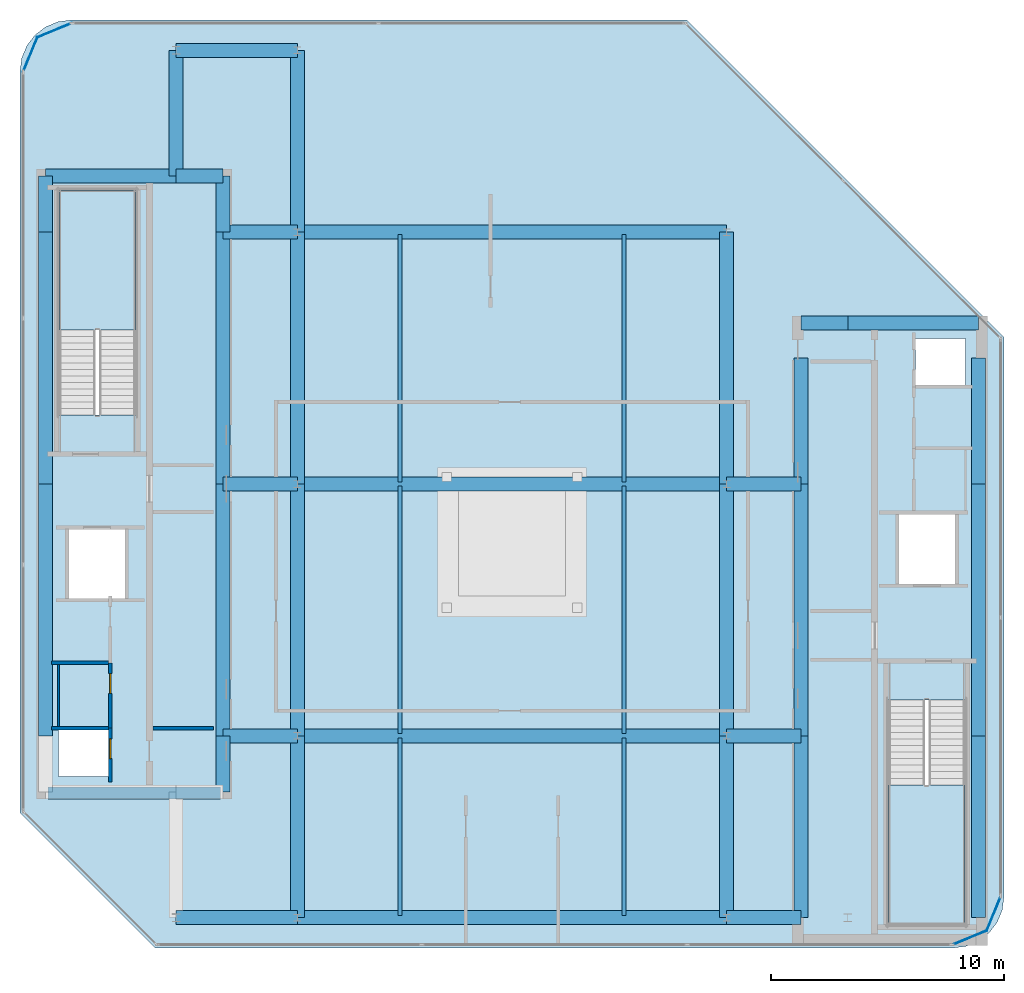
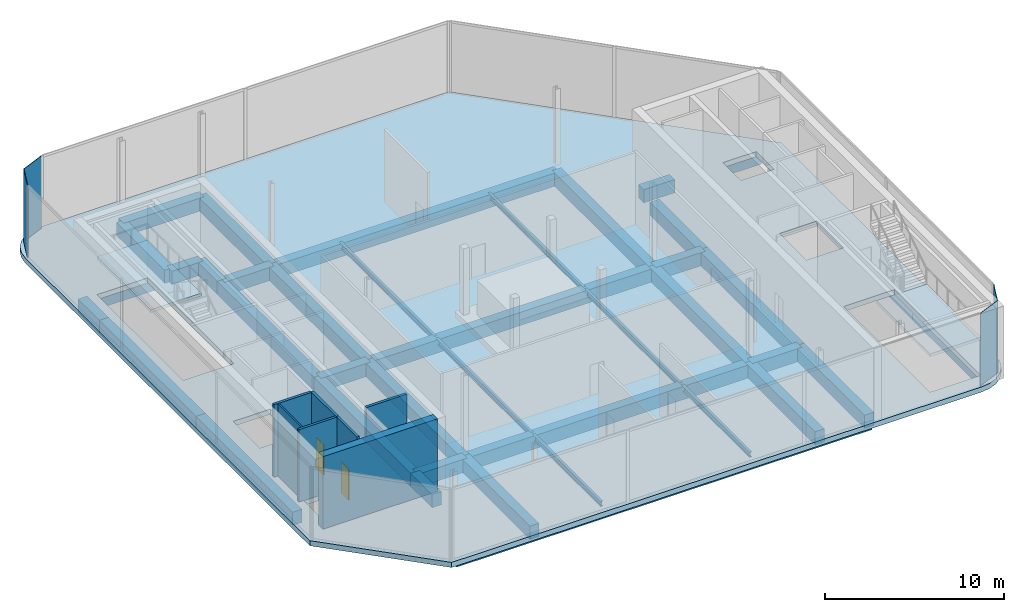
# One storey, part 4 of 14: 43 beams, 7 walls, 4 plates, 3 slabs, 2 doors, 2 openings, 2 elements without a shape of their own.
"""IFC4 building model written with IfcOpenShell, lengths in metres."""

from ifc_helpers import new_model, si_unit, direction, frame, frame_2d, origin, origin_2d, place, context, subcontext, project, spatial, polyline, rectangle, i_section, outline, extrude, material, layer, layer_set, material_profile, profile_set, type_object, element, fill, aggregate, save


model = new_model("IFC4")

# Units and contexts
model_context = context("Model", 3, precision=1e-05, world=origin(), true_north=direction((0.0, 1.0)))
body_context = subcontext(model_context, "Body", "Model", "MODEL_VIEW")
ifc_project = project(units=[si_unit("LENGTHUNIT", "METRE"), si_unit("AREAUNIT", "SQUARE_METRE"), si_unit("VOLUMEUNIT", "CUBIC_METRE"), si_unit("PLANEANGLEUNIT", "RADIAN"), si_unit("MASSUNIT", "GRAM", prefix="KILO")], contexts=[model_context])

# Site, building, storey
site_placement = place(None, origin())
site = spatial("IfcSite", under=ifc_project, at=site_placement, CompositionType="ELEMENT")
building_placement = place(site_placement, origin())
building = spatial("IfcBuilding", under=site, at=building_placement, Name="Khairoan Windgate Tower", CompositionType="ELEMENT")
storey_placement = place(building_placement, frame((0.0, 0.0, 325.199951171875)))
storey = spatial("IfcBuildingStorey", under=building, at=storey_placement, Name="L78", CompositionType="ELEMENT", Elevation=325.199951171875)

# Beams
ifc_material_1 = material(Name="Concrete C50/60", Category="concrete")
ifc_material_profile_1 = material_profile(ifc_material_1, rectangle(XDim=0.60009765625, YDim=0.89990234375, at=origin_2d()))
ifc_profile_set_1 = profile_set([ifc_material_profile_1], Name="Concrete C50/60")
beam_type_1 = type_object("IfcBeamType", Name="Beam B-RC1 RC600x900", PredefinedType="BEAM", material=ifc_profile_set_1)
beam_1_placement = place(storey_placement, frame((-14.39990234375, -18.60009765625, -0.800048828125), z_axis=(1.0, 0.0, 0.0), x_axis=(0.0, 1.0, 0.0)))
element("IfcBeam", 1, at=beam_1_placement, inside=storey, type_object=beam_type_1, Name="L78 E-W Primary Girder 01", PredefinedType="BEAM", context=body_context, shape_type="SweptSolid", body=[
    extrude(rectangle(XDim=0.60009765625, YDim=0.89990234375, at=origin_2d()), origin(), (0.0, 0.0, 1.0), 5.199951171875),
])
beam_2_placement = place(storey_placement, frame((-9.199951171875, -18.60009765625, -0.800048828125), z_axis=(1.0, 0.0, 0.0), x_axis=(0.0, 1.0, 0.0)))
element("IfcBeam", 2, at=beam_2_placement, inside=storey, type_object=beam_type_1, Name="L78 E-W Primary Girder 02", PredefinedType="BEAM", context=body_context, shape_type="SweptSolid", body=[
    extrude(rectangle(XDim=0.60009765625, YDim=0.89990234375, at=origin_2d()), origin(), (0.0, 0.0, 1.0), 18.39990234375),
])
for number, where, z_axis, x_axis, name in (
    (3, (9.199951171875, -18.60009765625, -0.800048828125), (1.0, 0.0, 0.0), (0.0, 1.0, 0.0), "L78 E-W Primary Girder 03"),
    (4, (-12.39990234375, -10.800048828125, -0.800048828125), (1.0, 0.0, 0.0), (0.0, 1.0, 0.0), "L78 E-W Primary Girder 06"),
):
    element("IfcBeam", number, at=place(storey_placement, frame(where, z_axis=z_axis, x_axis=x_axis)), inside=storey, type_object=beam_type_1, Name=name, PredefinedType="BEAM", context=body_context, shape_type="SweptSolid", body=[
        extrude(rectangle(XDim=0.60009765625, YDim=0.89990234375, at=origin_2d()), origin(), (0.0, 0.0, 1.0), 3.199951171875),
    ])
beam_3_placement = place(storey_placement, frame((-9.199951171875, -10.800048828125, -0.800048828125), z_axis=(1.0, 0.0, 0.0), x_axis=(0.0, 1.0, 0.0)))
element("IfcBeam", 5, at=beam_3_placement, inside=storey, type_object=beam_type_1, Name="L78 E-W Primary Girder 07", PredefinedType="BEAM", context=body_context, shape_type="SweptSolid", body=[
    extrude(rectangle(XDim=0.60009765625, YDim=0.89990234375, at=origin_2d()), origin(), (0.0, 0.0, 1.0), 18.39990234375),
])
for number, where, z_axis, x_axis, name in (
    (6, (9.199951171875, -10.800048828125, -0.800048828125), (1.0, 0.0, 0.0), (0.0, 1.0, 0.0), "L78 E-W Primary Girder 08"),
    (7, (-12.39990234375, 0.0, -0.800048828125), (1.0, 0.0, 0.0), (0.0, 1.0, 0.0), "L78 E-W Primary Girder 09"),
):
    element("IfcBeam", number, at=place(storey_placement, frame(where, z_axis=z_axis, x_axis=x_axis)), inside=storey, type_object=beam_type_1, Name=name, PredefinedType="BEAM", context=body_context, shape_type="SweptSolid", body=[
        extrude(rectangle(XDim=0.60009765625, YDim=0.89990234375, at=origin_2d()), origin(), (0.0, 0.0, 1.0), 3.199951171875),
    ])
beam_4_placement = place(storey_placement, frame((-9.199951171875, 0.0, -0.800048828125), z_axis=(1.0, 0.0, 0.0), x_axis=(0.0, 1.0, 0.0)))
element("IfcBeam", 8, at=beam_4_placement, inside=storey, type_object=beam_type_1, Name="L78 E-W Primary Girder 10", PredefinedType="BEAM", context=body_context, shape_type="SweptSolid", body=[
    extrude(rectangle(XDim=0.60009765625, YDim=0.89990234375, at=origin_2d()), origin(), (0.0, 0.0, 1.0), 18.39990234375),
])
beam_5_placement = place(storey_placement, frame((9.199951171875, 0.0, -0.800048828125), z_axis=(1.0, 0.0, 0.0), x_axis=(0.0, 1.0, 0.0)))
element("IfcBeam", 9, at=beam_5_placement, inside=storey, type_object=beam_type_1, Name="L78 E-W Primary Girder 11", PredefinedType="BEAM", context=body_context, shape_type="SweptSolid", body=[
    extrude(rectangle(XDim=0.60009765625, YDim=0.89990234375, at=origin_2d()), origin(), (0.0, 0.0, 1.0), 3.199951171875),
])
beam_6_placement = place(storey_placement, frame((12.39990234375, 6.89990234375, -0.800048828125), z_axis=(1.0, 0.0, 0.0), x_axis=(0.0, 1.0, 0.0)))
element("IfcBeam", 10, at=beam_6_placement, inside=storey, type_object=beam_type_1, Name="L78 E-W Primary Girder 12", PredefinedType="BEAM", context=body_context, shape_type="SweptSolid", body=[
    extrude(rectangle(XDim=0.60009765625, YDim=0.89990234375, at=origin_2d()), origin(), (0.0, 0.0, 1.0), 2.0),
])
beam_7_placement = place(storey_placement, frame((14.39990234375, 6.89990234375, -0.800048828125), z_axis=(1.0, 0.0, 0.0), x_axis=(0.0, 1.0, 0.0)))
element("IfcBeam", 11, at=beam_7_placement, inside=storey, type_object=beam_type_1, Name="L78 E-W Primary Girder 13", PredefinedType="BEAM", context=body_context, shape_type="SweptSolid", body=[
    extrude(rectangle(XDim=0.60009765625, YDim=0.89990234375, at=origin_2d()), origin(), (0.0, 0.0, 1.0), 5.60009765625),
])
beam_8_placement = place(storey_placement, frame((-12.39990234375, 10.800048828125, -0.800048828125), z_axis=(1.0, 0.0, 0.0), x_axis=(0.0, 1.0, 0.0)))
element("IfcBeam", 12, at=beam_8_placement, inside=storey, type_object=beam_type_1, Name="L78 E-W Primary Girder 14", PredefinedType="BEAM", context=body_context, shape_type="SweptSolid", body=[
    extrude(rectangle(XDim=0.60009765625, YDim=0.89990234375, at=origin_2d()), origin(), (0.0, 0.0, 1.0), 3.199951171875),
])
beam_9_placement = place(storey_placement, frame((-9.199951171875, 10.800048828125, -0.800048828125), z_axis=(1.0, 0.0, 0.0), x_axis=(0.0, 1.0, 0.0)))
element("IfcBeam", 13, at=beam_9_placement, inside=storey, type_object=beam_type_1, Name="L78 E-W Primary Girder 15", PredefinedType="BEAM", context=body_context, shape_type="SweptSolid", body=[
    extrude(rectangle(XDim=0.60009765625, YDim=0.89990234375, at=origin_2d()), origin(), (0.0, 0.0, 1.0), 18.39990234375),
])
beam_10_placement = place(storey_placement, frame((-20.0, 13.199951171875, -0.800048828125), z_axis=(1.0, 0.0, 0.0), x_axis=(0.0, 1.0, 0.0)))
element("IfcBeam", 14, at=beam_10_placement, inside=storey, type_object=beam_type_1, Name="L78 E-W Primary Girder 16", PredefinedType="BEAM", context=body_context, shape_type="SweptSolid", body=[
    extrude(rectangle(XDim=0.60009765625, YDim=0.89990234375, at=origin_2d()), origin(), (0.0, 0.0, 1.0), 5.60009765625),
])
beam_11_placement = place(storey_placement, frame((-14.39990234375, 13.199951171875, -0.800048828125), z_axis=(1.0, 0.0, 0.0), x_axis=(0.0, 1.0, 0.0)))
element("IfcBeam", 15, at=beam_11_placement, inside=storey, type_object=beam_type_1, Name="L78 E-W Primary Girder 17", PredefinedType="BEAM", context=body_context, shape_type="SweptSolid", body=[
    extrude(rectangle(XDim=0.60009765625, YDim=0.89990234375, at=origin_2d()), origin(), (0.0, 0.0, 1.0), 2.0),
])
beam_12_placement = place(storey_placement, frame((-14.39990234375, 18.60009765625, -0.800048828125), z_axis=(1.0, 0.0, 0.0), x_axis=(0.0, 1.0, 0.0)))
element("IfcBeam", 16, at=beam_12_placement, inside=storey, type_object=beam_type_1, Name="L78 E-W Primary Girder 18", PredefinedType="BEAM", context=body_context, shape_type="SweptSolid", body=[
    extrude(rectangle(XDim=0.60009765625, YDim=0.89990234375, at=origin_2d()), origin(), (0.0, 0.0, 1.0), 5.199951171875),
])
for number, where, z_axis, x_axis, name in (
    (17, (-20.0, -10.800048828125, -0.800048828125), (0.0, 1.0, 0.0), (-1.0, 0.0, 0.0), "L78 N-S Primary Beam 20"),
    (18, (-20.0, 0.0, -0.800048828125), (0.0, 1.0, 0.0), (-1.0, 0.0, 0.0), "L78 N-S Primary Beam 21"),
):
    element("IfcBeam", number, at=place(storey_placement, frame(where, z_axis=z_axis, x_axis=x_axis)), inside=storey, type_object=beam_type_1, Name=name, PredefinedType="BEAM", context=body_context, shape_type="SweptSolid", body=[
        extrude(rectangle(XDim=0.60009765625, YDim=0.89990234375, at=origin_2d()), origin(), (0.0, 0.0, 1.0), 10.800048828125),
    ])
beam_13_placement = place(storey_placement, frame((-20.0, 10.800048828125, -0.800048828125), z_axis=(0.0, 1.0, 0.0), x_axis=(-1.0, 0.0, 0.0)))
element("IfcBeam", 19, at=beam_13_placement, inside=storey, type_object=beam_type_1, Name="L78 N-S Primary Beam 22", PredefinedType="BEAM", context=body_context, shape_type="SweptSolid", body=[
    extrude(rectangle(XDim=0.60009765625, YDim=0.89990234375, at=origin_2d()), origin(), (0.0, 0.0, 1.0), 2.39990234375),
])
beam_14_placement = place(storey_placement, frame((-14.39990234375, 13.199951171875, -0.800048828125), z_axis=(0.0, 1.0, 0.0), x_axis=(-1.0, 0.0, 0.0)))
element("IfcBeam", 20, at=beam_14_placement, inside=storey, type_object=beam_type_1, Name="L78 N-S Primary Beam 24", PredefinedType="BEAM", context=body_context, shape_type="SweptSolid", body=[
    extrude(rectangle(XDim=0.60009765625, YDim=0.89990234375, at=origin_2d()), origin(), (0.0, 0.0, 1.0), 5.400146484375),
])
beam_15_placement = place(storey_placement, frame((-12.39990234375, -13.199951171875, -0.800048828125), z_axis=(0.0, 1.0, 0.0), x_axis=(-1.0, 0.0, 0.0)))
element("IfcBeam", 21, at=beam_15_placement, inside=storey, type_object=beam_type_1, Name="L78 N-S Primary Beam 25", PredefinedType="BEAM", context=body_context, shape_type="SweptSolid", body=[
    extrude(rectangle(XDim=0.60009765625, YDim=0.89990234375, at=origin_2d()), origin(), (0.0, 0.0, 1.0), 2.39990234375),
])
for number, where, z_axis, x_axis, name in (
    (22, (-12.39990234375, -10.800048828125, -0.800048828125), (0.0, 1.0, 0.0), (-1.0, 0.0, 0.0), "L78 N-S Primary Beam 26"),
    (23, (-12.39990234375, 0.0, -0.800048828125), (0.0, 1.0, 0.0), (-1.0, 0.0, 0.0), "L78 N-S Primary Beam 27"),
):
    element("IfcBeam", number, at=place(storey_placement, frame(where, z_axis=z_axis, x_axis=x_axis)), inside=storey, type_object=beam_type_1, Name=name, PredefinedType="BEAM", context=body_context, shape_type="SweptSolid", body=[
        extrude(rectangle(XDim=0.60009765625, YDim=0.89990234375, at=origin_2d()), origin(), (0.0, 0.0, 1.0), 10.800048828125),
    ])
beam_16_placement = place(storey_placement, frame((-12.39990234375, 10.800048828125, -0.800048828125), z_axis=(0.0, 1.0, 0.0), x_axis=(-1.0, 0.0, 0.0)))
element("IfcBeam", 24, at=beam_16_placement, inside=storey, type_object=beam_type_1, Name="L78 N-S Primary Beam 28", PredefinedType="BEAM", context=body_context, shape_type="SweptSolid", body=[
    extrude(rectangle(XDim=0.60009765625, YDim=0.89990234375, at=origin_2d()), origin(), (0.0, 0.0, 1.0), 2.39990234375),
])
beam_17_placement = place(storey_placement, frame((-9.199951171875, -18.60009765625, -0.800048828125), z_axis=(0.0, 1.0, 0.0), x_axis=(-1.0, 0.0, 0.0)))
element("IfcBeam", 25, at=beam_17_placement, inside=storey, type_object=beam_type_1, Name="L78 N-S Primary Beam 29", PredefinedType="BEAM", context=body_context, shape_type="SweptSolid", body=[
    extrude(rectangle(XDim=0.60009765625, YDim=0.89990234375, at=origin_2d()), origin(), (0.0, 0.0, 1.0), 7.800048828125),
])
for number, where, z_axis, x_axis, name in (
    (26, (-9.199951171875, -10.800048828125, -0.800048828125), (0.0, 1.0, 0.0), (-1.0, 0.0, 0.0), "L78 N-S Primary Beam 30"),
    (27, (-9.199951171875, 0.0, -0.800048828125), (0.0, 1.0, 0.0), (-1.0, 0.0, 0.0), "L78 N-S Primary Beam 31"),
):
    element("IfcBeam", number, at=place(storey_placement, frame(where, z_axis=z_axis, x_axis=x_axis)), inside=storey, type_object=beam_type_1, Name=name, PredefinedType="BEAM", context=body_context, shape_type="SweptSolid", body=[
        extrude(rectangle(XDim=0.60009765625, YDim=0.89990234375, at=origin_2d()), origin(), (0.0, 0.0, 1.0), 10.800048828125),
    ])
for number, where, z_axis, x_axis, name in (
    (28, (-9.199951171875, 10.800048828125, -0.800048828125), (0.0, 1.0, 0.0), (-1.0, 0.0, 0.0), "L78 N-S Primary Beam 32"),
    (29, (9.199951171875, -18.60009765625, -0.800048828125), (0.0, 1.0, 0.0), (-1.0, 0.0, 0.0), "L78 N-S Primary Beam 33"),
):
    element("IfcBeam", number, at=place(storey_placement, frame(where, z_axis=z_axis, x_axis=x_axis)), inside=storey, type_object=beam_type_1, Name=name, PredefinedType="BEAM", context=body_context, shape_type="SweptSolid", body=[
        extrude(rectangle(XDim=0.60009765625, YDim=0.89990234375, at=origin_2d()), origin(), (0.0, 0.0, 1.0), 7.800048828125),
    ])
for number, where, z_axis, x_axis, name in (
    (30, (9.199951171875, -10.800048828125, -0.800048828125), (0.0, 1.0, 0.0), (-1.0, 0.0, 0.0), "L78 N-S Primary Beam 34"),
    (31, (9.199951171875, 0.0, -0.800048828125), (0.0, 1.0, 0.0), (-1.0, 0.0, 0.0), "L78 N-S Primary Beam 35"),
):
    element("IfcBeam", number, at=place(storey_placement, frame(where, z_axis=z_axis, x_axis=x_axis)), inside=storey, type_object=beam_type_1, Name=name, PredefinedType="BEAM", context=body_context, shape_type="SweptSolid", body=[
        extrude(rectangle(XDim=0.60009765625, YDim=0.89990234375, at=origin_2d()), origin(), (0.0, 0.0, 1.0), 10.800048828125),
    ])
beam_18_placement = place(storey_placement, frame((12.39990234375, -18.60009765625, -0.800048828125), z_axis=(0.0, 1.0, 0.0), x_axis=(-1.0, 0.0, 0.0)))
element("IfcBeam", 32, at=beam_18_placement, inside=storey, type_object=beam_type_1, Name="L78 N-S Primary Beam 36", PredefinedType="BEAM", context=body_context, shape_type="SweptSolid", body=[
    extrude(rectangle(XDim=0.60009765625, YDim=0.89990234375, at=origin_2d()), origin(), (0.0, 0.0, 1.0), 7.800048828125),
])
beam_19_placement = place(storey_placement, frame((12.39990234375, -10.800048828125, -0.800048828125), z_axis=(0.0, 1.0, 0.0), x_axis=(-1.0, 0.0, 0.0)))
element("IfcBeam", 33, at=beam_19_placement, inside=storey, type_object=beam_type_1, Name="L78 N-S Primary Beam 37", PredefinedType="BEAM", context=body_context, shape_type="SweptSolid", body=[
    extrude(rectangle(XDim=0.60009765625, YDim=0.89990234375, at=origin_2d()), origin(), (0.0, 0.0, 1.0), 10.800048828125),
])
beam_20_placement = place(storey_placement, frame((12.39990234375, 0.0, -0.800048828125), z_axis=(0.0, 1.0, 0.0), x_axis=(-1.0, 0.0, 0.0)))
element("IfcBeam", 34, at=beam_20_placement, inside=storey, type_object=beam_type_1, Name="L78 N-S Primary Beam 38", PredefinedType="BEAM", context=body_context, shape_type="SweptSolid", body=[
    extrude(rectangle(XDim=0.60009765625, YDim=0.89990234375, at=origin_2d()), origin(), (0.0, 0.0, 1.0), 5.39990234375),
])
beam_21_placement = place(storey_placement, frame((20.0, -18.60009765625, -0.800048828125), z_axis=(0.0, 1.0, 0.0), x_axis=(-1.0, 0.0, 0.0)))
element("IfcBeam", 35, at=beam_21_placement, inside=storey, type_object=beam_type_1, Name="L78 N-S Primary Beam 39", PredefinedType="BEAM", context=body_context, shape_type="SweptSolid", body=[
    extrude(rectangle(XDim=0.60009765625, YDim=0.89990234375, at=origin_2d()), origin(), (0.0, 0.0, 1.0), 7.800048828125),
])
beam_22_placement = place(storey_placement, frame((20.0, -10.800048828125, -0.800048828125), z_axis=(0.0, 1.0, 0.0), x_axis=(-1.0, 0.0, 0.0)))
element("IfcBeam", 36, at=beam_22_placement, inside=storey, type_object=beam_type_1, Name="L78 N-S Primary Beam 40", PredefinedType="BEAM", context=body_context, shape_type="SweptSolid", body=[
    extrude(rectangle(XDim=0.60009765625, YDim=0.89990234375, at=origin_2d()), origin(), (0.0, 0.0, 1.0), 10.800048828125),
])
beam_23_placement = place(storey_placement, frame((20.0, 0.0, -0.800048828125), z_axis=(0.0, 1.0, 0.0), x_axis=(-1.0, 0.0, 0.0)))
element("IfcBeam", 37, at=beam_23_placement, inside=storey, type_object=beam_type_1, Name="L78 N-S Primary Beam 41", PredefinedType="BEAM", context=body_context, shape_type="SweptSolid", body=[
    extrude(rectangle(XDim=0.60009765625, YDim=0.89990234375, at=origin_2d()), origin(), (0.0, 0.0, 1.0), 5.39990234375),
])
ifc_material_2 = material(Name="Steel S355", Category="steel")
ifc_material_profile_2 = material_profile(ifc_material_2, i_section(OverallWidth=0.175048828125, OverallDepth=0.35009765625, WebThickness=0.007080078125, FlangeThickness=0.010986328125, FilletRadius=0.013916015625, at=origin_2d()))
ifc_profile_set_2 = profile_set([ifc_material_profile_2], Name="Steel S355")
beam_type_2 = type_object("IfcBeamType", Name="Beam J-S5 H350x175x7x11", PredefinedType="JOIST", material=ifc_profile_set_2)
beam_24_placement = place(storey_placement, frame((-4.800048828125, -18.510009765625, -0.52490234375), z_axis=(0.0, 1.0, 0.0), x_axis=(-1.0, 0.0, 0.0)))
element("IfcBeam", 38, at=beam_24_placement, inside=storey, type_object=beam_type_2, Name="L78 Secondary Floor Joist 01", PredefinedType="JOIST", context=body_context, shape_type="SweptSolid", body=[
    extrude(i_section(OverallWidth=0.175048828125, OverallDepth=0.35009765625, WebThickness=0.007080078125, FlangeThickness=0.010986328125, FilletRadius=0.013916015625, at=origin_2d()), origin(), (0.0, 0.0, 1.0), 7.6201171875),
])
for number, where, z_axis, x_axis, name in (
    (39, (-4.800048828125, -10.7099609375, -0.52490234375), (0.0, 1.0, 0.0), (-1.0, 0.0, 0.0), "L78 Secondary Floor Joist 02"),
    (40, (-4.800048828125, 0.090087890625, -0.52490234375), (0.0, 1.0, 0.0), (-1.0, 0.0, 0.0), "L78 Secondary Floor Joist 03"),
):
    element("IfcBeam", number, at=place(storey_placement, frame(where, z_axis=z_axis, x_axis=x_axis)), inside=storey, type_object=beam_type_2, Name=name, PredefinedType="JOIST", context=body_context, shape_type="SweptSolid", body=[
        extrude(i_section(OverallWidth=0.175048828125, OverallDepth=0.35009765625, WebThickness=0.007080078125, FlangeThickness=0.010986328125, FilletRadius=0.013916015625, at=origin_2d()), origin(), (0.0, 0.0, 1.0), 10.619873046875),
    ])
beam_25_placement = place(storey_placement, frame((4.800048828125, -18.510009765625, -0.52490234375), z_axis=(0.0, 1.0, 0.0), x_axis=(-1.0, 0.0, 0.0)))
element("IfcBeam", 41, at=beam_25_placement, inside=storey, type_object=beam_type_2, Name="L78 Secondary Floor Joist 04", PredefinedType="JOIST", context=body_context, shape_type="SweptSolid", body=[
    extrude(i_section(OverallWidth=0.175048828125, OverallDepth=0.35009765625, WebThickness=0.007080078125, FlangeThickness=0.010986328125, FilletRadius=0.013916015625, at=origin_2d()), origin(), (0.0, 0.0, 1.0), 7.6201171875),
])
for number, where, z_axis, x_axis, name in (
    (42, (4.800048828125, -10.7099609375, -0.52490234375), (0.0, 1.0, 0.0), (-1.0, 0.0, 0.0), "L78 Secondary Floor Joist 05"),
    (43, (4.800048828125, 0.090087890625, -0.52490234375), (0.0, 1.0, 0.0), (-1.0, 0.0, 0.0), "L78 Secondary Floor Joist 06"),
):
    element("IfcBeam", number, at=place(storey_placement, frame(where, z_axis=z_axis, x_axis=x_axis)), inside=storey, type_object=beam_type_2, Name=name, PredefinedType="JOIST", context=body_context, shape_type="SweptSolid", body=[
        extrude(i_section(OverallWidth=0.175048828125, OverallDepth=0.35009765625, WebThickness=0.007080078125, FlangeThickness=0.010986328125, FilletRadius=0.013916015625, at=origin_2d()), origin(), (0.0, 0.0, 1.0), 10.619873046875),
    ])

# Plates
ifc_material_3 = material(Name="Low-E Solar Control Laminated Glass", Category="glass")
ifc_layer_1 = layer(ifc_material_3, 0.030029296875, Name="Low-E Solar Control Laminated Glass")
ifc_layer_set_1 = layer_set([ifc_layer_1], Name="Low-E Solar Control Laminated Glass")
plate_type = type_object("IfcPlateType", Name="Aerodynamic Wind-Corner Curved Glazing Plate", PredefinedType="USERDEFINED", material=ifc_layer_set_1)
for number, where, z_axis, x_axis, name in (
    (44, (-20.657958984375, 18.42333984375, 0.0), (0.0, 0.0, 1.0), (0.381231734269, 0.924479510204, 0.0), "L78 Aerodynamic Wind-Corner Curved Glazing Panel 4"),
    (45, (-19.623291015625, 19.4580078125, 0.0), (0.0, 0.0, 1.0), (0.924479510204, 0.381231734269, 0.0), "L78 Aerodynamic Wind-Corner Curved Glazing Panel 5"),
    (46, (20.657958984375, -18.42333984375, 0.0), (0.0, 0.0, 1.0), (-0.381231734269, -0.924479510204, 0.0), "L78 Aerodynamic Wind-Corner Curved Glazing Panel 9"),
    (47, (19.623291015625, -19.4580078125, 0.0), (0.0, 0.0, 1.0), (-0.924479510204, -0.381231734269, 0.0), "L78 Aerodynamic Wind-Corner Curved Glazing Panel 10"),
):
    element("IfcPlate", number, at=place(storey_placement, frame(where, z_axis=z_axis, x_axis=x_axis)), inside=storey, type_object=plate_type, Name=name, ObjectType="GLAZING PANEL", PredefinedType="USERDEFINED", context=body_context, shape_type="SweptSolid", body=[
        extrude(rectangle(XDim=1.624755859375, YDim=0.035888671875, at=origin_2d()), origin(), (0.0, 0.0, 1.0), 4.93994140625),
    ])

# Slab
ifc_material_4 = material(Name="Concrete C50/60", Category="concrete")
ifc_layer_2 = layer(ifc_material_4, 0.35009765625, Name="Concrete C50/60")
ifc_layer_set_2 = layer_set([ifc_layer_2], Name="Concrete C50/60")
slab_type_1 = type_object("IfcSlabType", Name="Outrigger Diaphragm Slab OS1 350mm", PredefinedType="FLOOR", material=ifc_layer_set_2)
slab_1_placement = place(storey_placement, frame((0.0, 0.0, -0.349853515625)))
element("IfcSlab", 48, at=slab_1_placement, inside=storey, type_object=slab_type_1, Name="L78 Structural Floor Slab", PredefinedType="FLOOR", context=body_context, shape_type="SweptSolid", body=[
    extrude(outline(polyline([(18.89990234375, -19.89990234375), (19.469482421875, -19.824951171875), (20.0, -19.605224609375), (20.45556640625, -19.255615234375), (20.805419921875, -18.800048828125), (21.02490234375, -18.269287109375), (21.10009765625, -17.699951171875), (21.10009765625, 6.300048828125), (7.5, 19.89990234375), (-18.89990234375, 19.89990234375), (-19.469482421875, 19.824951171875), (-20.0, 19.605224609375), (-20.45556640625, 19.255615234375), (-20.805419921875, 18.800048828125), (-21.02490234375, 18.269287109375), (-21.10009765625, 17.699951171875), (-21.10009765625, -14.10009765625), (-15.300048828125, -19.89990234375), (18.89990234375, -19.89990234375)]), holes=[polyline([(16.14990234375, -9.260009765625), (16.14990234375, -18.89990234375), (19.419921875, -18.89990234375), (19.419921875, -9.260009765625), (16.14990234375, -9.260009765625)]), polyline([(-16.14990234375, 2.9599609375), (-16.14990234375, 12.60009765625), (-19.419921875, 12.60009765625), (-19.419921875, 2.9599609375), (-16.14990234375, 2.9599609375)]), polyline([(16.60009765625, -4.300048828125), (19.0, -4.300048828125), (19.0, -1.300048828125), (16.60009765625, -1.300048828125), (16.60009765625, -4.300048828125)]), polyline([(-19.0, -4.89990234375), (-16.60009765625, -4.89990234375), (-16.60009765625, -1.89990234375), (-19.0, -1.89990234375), (-19.0, -4.89990234375)]), polyline([(-19.449951171875, -12.550048828125), (-17.31005859375, -12.550048828125), (-17.31005859375, -10.550048828125), (-19.449951171875, -10.550048828125), (-19.449951171875, -12.550048828125)]), polyline([(17.31005859375, 4.25), (19.449951171875, 4.25), (19.449951171875, 6.25), (17.31005859375, 6.25), (17.31005859375, 4.25)])]), origin(), (0.0, 0.0, 1.0), 0.349853515625),
])

# Stair, slab
ifc_material_5 = material(Name="Concrete C40/50", Category="concrete")
stair_type = type_object("IfcStairType", Name="Tower Core Dog-Leg Stair ST-T1 1560mm", PredefinedType="HALF_TURN_STAIR", material=ifc_material_5)
stair_1_placement = place(storey_placement, origin())
stair_1 = element("IfcStair", 49, at=stair_1_placement, inside=storey, type_object=stair_type, Name="L78 Stair ST1", PredefinedType="HALF_TURN_STAIR")
ifc_material_6 = material(Name="Concrete C40/50", Category="concrete")
ifc_layer_3 = layer(ifc_material_6, 0.199951171875, Name="Concrete C40/50")
ifc_layer_set_3 = layer_set([ifc_layer_3], Name="Concrete C40/50")
slab_type_2 = type_object("IfcSlabType", Name="Reinforced Concrete Stair Landing Slab STL-200", PredefinedType="LANDING", material=ifc_layer_set_3)
slab_2_placement = place(storey_placement, frame((0.0, 0.0, 2.400146484375)))
slab_2 = element("IfcSlab", 50, at=slab_2_placement, type_object=slab_type_2, Name="ST1 landing 1", PredefinedType="LANDING", context=body_context, shape_type="SweptSolid", body=[
    extrude(outline(polyline([(16.14990234375, -12.89990234375), (16.14990234375, -18.89990234375), (19.419921875, -18.89990234375), (19.419921875, -12.89990234375), (16.14990234375, -12.89990234375)])), origin(), (0.0, 0.0, 1.0), 0.199951171875),
])
aggregate(stair_1, [slab_2])

stair_2_placement = place(storey_placement, origin())
stair_2 = element("IfcStair", 51, at=stair_2_placement, inside=storey, type_object=stair_type, Name="L78 Stair ST2", PredefinedType="HALF_TURN_STAIR")
slab_3_placement = place(storey_placement, frame((0.0, 0.0, 2.400146484375)))
slab_3 = element("IfcSlab", 52, at=slab_3_placement, type_object=slab_type_2, Name="ST2 landing 1", PredefinedType="LANDING", context=body_context, shape_type="SweptSolid", body=[
    extrude(outline(polyline([(-16.14990234375, 6.60009765625), (-16.14990234375, 12.60009765625), (-19.419921875, 12.60009765625), (-19.419921875, 6.60009765625), (-16.14990234375, 6.60009765625)])), origin(), (0.0, 0.0, 1.0), 0.199951171875),
])
aggregate(stair_2, [slab_3])

# Walls
ifc_material_7 = material(Name="Moisture-Resistant Gypsum Partition", Category="gypsum")
ifc_layer_4 = layer(ifc_material_7, 0.10009765625, Name="Moisture-Resistant Gypsum Partition")
ifc_layer_set_4 = layer_set([ifc_layer_4], Name="Moisture-Resistant Gypsum Partition")
wall_type_1 = type_object("IfcWallType", Name="Bathroom Wet-Area Partition Wall", PredefinedType="PARTITIONING", material=ifc_layer_set_4)
wall_1_placement = place(storey_placement, frame((-19.449951171875, -10.389892578125, 0.0), z_axis=(0.0, 0.0, 1.0), x_axis=(0.0, 1.0, 0.0)))
element("IfcWall", 53, at=wall_1_placement, inside=storey, type_object=wall_type_1, Name="L78 Wet Room Side Wall 018", PredefinedType="PARTITIONING", context=body_context, shape_type="SweptSolid", body=[
    extrude(rectangle(XDim=2.639892578125, YDim=0.10009765625, at=frame_2d((1.31982421875, 0.0))), origin(), (0.0, 0.0, 1.0), 4.93994140625),
])
ifc_material_8 = material(Name="Concrete C40/50", Category="concrete")
ifc_layer_5 = layer(ifc_material_8, 0.159912109375, Name="Concrete C40/50")
ifc_layer_set_5 = layer_set([ifc_layer_5], Name="Concrete C40/50")
wall_type_2 = type_object("IfcWallType", Name="Core and Hoistway Enclosure Wall", PredefinedType="STANDARD", material=ifc_layer_set_5)
wall_2_placement = place(storey_placement, frame((-15.39990234375, -10.47998046875, 0.0), z_axis=(0.0, 0.0, 1.0), x_axis=(1.0, 0.0, 0.0)))
element("IfcWall", 54, at=wall_2_placement, inside=storey, type_object=wall_type_2, Name="L78 Core Shaft Wall SW-WSV-L78", PredefinedType="STANDARD", context=body_context, shape_type="SweptSolid", body=[
    extrude(rectangle(XDim=2.599853515625, YDim=0.159912109375, at=frame_2d((1.2998046875, 0.0))), origin(), (0.0, 0.0, 1.0), 4.93994140625),
])

# Wall, opening, door
ifc_material_9 = material(Name="Concrete C40/50", Category="concrete")
ifc_layer_6 = layer(ifc_material_9, 0.159912109375, Name="Concrete C40/50")
ifc_layer_set_6 = layer_set([ifc_layer_6], Name="Concrete C40/50")
wall_type_3 = type_object("IfcWallType", Name="Plant and Refuge Compartment Wall", PredefinedType="PARTITIONING", material=ifc_layer_set_6)
wall_3_placement = place(storey_placement, frame((-17.22998046875, -12.7900390625, 0.0), z_axis=(0.0, 0.0, 1.0), x_axis=(0.0, 1.0, 0.0)))
wall_3 = element("IfcWall", 55, at=wall_3_placement, inside=storey, type_object=wall_type_3, Name="L78 Interior Partition 001", PredefinedType="PARTITIONING", context=body_context, shape_type="SweptSolid", body=[
    extrude(rectangle(XDim=2.320068359375, YDim=0.159912109375, at=frame_2d((1.16015625, 0.0))), origin(), (0.0, 0.0, 1.0), 4.93994140625),
])
opening_1_placement = place(wall_3_placement, frame((1.010009765625, 0.0, 0.0)))
opening_1 = element("IfcOpeningElement", 56, at=opening_1_placement, cuts=wall_3, Name="Opening FD-SRV", PredefinedType="OPENING", context=body_context, shape_type="SweptSolid", body=[
    extrude(rectangle(XDim=0.85009765625, YDim=2.10009765625, at=frame_2d((0.425048828125, 1.050048828125))), frame((0.0, 0.08984375, 0.0), z_axis=(0.0, -1.0, 0.0), x_axis=(1.0, 0.0, 0.0)), (0.0, 0.0, 1.0), 0.179931640625),
])
ifc_material_10 = material(Name="Steel S355", Category="steel")
door_type = type_object("IfcDoorType", Name="Core Service and Riser Fire Door FD-SRV 850x2100", OperationType="NOTDEFINED", PredefinedType="DOOR", material=ifc_material_10)
door_1_placement = place(opening_1_placement, origin())
door_1 = element("IfcDoor", 57, at=door_1_placement, inside=storey, type_object=door_type, Name="L78 L78-04-L78-05 Door", OperationType="SINGLE_SWING_RIGHT", OverallHeight=2.10009765625, OverallWidth=0.85009765625, PredefinedType="DOOR", context=body_context, shape_type="SweptSolid", body=[
    extrude(rectangle(XDim=0.85009765625, YDim=2.10009765625, at=frame_2d((0.425048828125, 1.050048828125))), frame((0.0, 0.02490234375, 0.0), z_axis=(0.0, -1.0, 0.0), x_axis=(1.0, 0.0, 0.0)), (0.0, 0.0, 1.0), 0.050048828125),
])
fill(opening_1, door_1)

wall_4_placement = place(storey_placement, frame((-17.22998046875, -10.469970703125, 0.0), z_axis=(0.0, 0.0, 1.0), x_axis=(0.0, 1.0, 0.0)))
wall_4 = element("IfcWall", 58, at=wall_4_placement, inside=storey, type_object=wall_type_3, Name="L78 Interior Partition 002", PredefinedType="PARTITIONING", context=body_context, shape_type="SweptSolid", body=[
    extrude(rectangle(XDim=2.800048828125, YDim=0.159912109375, at=frame_2d((1.39990234375, 0.0))), origin(), (0.0, 0.0, 1.0), 4.93994140625),
])
opening_2_placement = place(wall_4_placement, frame((1.489990234375, 0.0, 0.0)))
opening_2 = element("IfcOpeningElement", 59, at=opening_2_placement, cuts=wall_4, Name="Opening FD-SRV", PredefinedType="OPENING", context=body_context, shape_type="SweptSolid", body=[
    extrude(rectangle(XDim=0.85009765625, YDim=2.10009765625, at=frame_2d((0.425048828125, 1.050048828125))), frame((0.0, 0.08984375, 0.0), z_axis=(0.0, -1.0, 0.0), x_axis=(1.0, 0.0, 0.0)), (0.0, 0.0, 1.0), 0.179931640625),
])
door_2_placement = place(opening_2_placement, origin())
door_2 = element("IfcDoor", 60, at=door_2_placement, inside=storey, type_object=door_type, Name="L78 L78-04-L78-06 Door", OperationType="SINGLE_SWING_LEFT", OverallHeight=2.10009765625, OverallWidth=0.85009765625, PredefinedType="DOOR", context=body_context, shape_type="SweptSolid", body=[
    extrude(rectangle(XDim=0.85009765625, YDim=2.10009765625, at=frame_2d((0.425048828125, 1.050048828125))), frame((0.0, 0.02490234375, 0.0), z_axis=(0.0, -1.0, 0.0), x_axis=(1.0, 0.0, 0.0)), (0.0, 0.0, 1.0), 0.050048828125),
])
fill(opening_2, door_2)

# Walls
for number, where, z_axis, x_axis, name in (
    (61, (-19.75, -10.469970703125, 0.0), (0.0, 0.0, 1.0), (1.0, 0.0, 0.0), "L78 Interior Partition 004"),
    (62, (-19.75, -7.669921875, 0.0), (0.0, 0.0, 1.0), (1.0, 0.0, 0.0), "L78 Interior Partition 005"),
):
    element("IfcWall", number, at=place(storey_placement, frame(where, z_axis=z_axis, x_axis=x_axis)), inside=storey, type_object=wall_type_3, Name=name, PredefinedType="PARTITIONING", context=body_context, shape_type="SweptSolid", body=[
        extrude(rectangle(XDim=2.43994140625, YDim=0.159912109375, at=frame_2d((1.219970703125, 0.0))), origin(), (0.0, 0.0, 1.0), 4.93994140625),
    ])
ifc_material_11 = material(Name="Concrete C50/60", Category="concrete")
ifc_layer_7 = layer(ifc_material_11, 0.5, Name="Concrete C50/60")
ifc_layer_set_7 = layer_set([ifc_layer_7], Name="Concrete C50/60")
wall_type_4 = type_object("IfcWallType", Name="Shear Wall CW-W3 500mm", PredefinedType="SHEAR", material=ifc_layer_set_7)
wall_5_placement = place(storey_placement, frame((-19.89990234375, -13.25, 0.0), z_axis=(0.0, 0.0, 1.0), x_axis=(1.0, 0.0, 0.0)))
element("IfcWall", 63, at=wall_5_placement, inside=storey, type_object=wall_type_4, Name="W Core South Shear Wall L78", PredefinedType="SHEAR", context=body_context, shape_type="SweptSolid", body=[
    extrude(rectangle(XDim=7.39990234375, YDim=0.5, at=frame_2d((3.699951171875, 0.0))), origin(), (0.0, 0.0, 1.0), 4.93994140625),
])

save(model, "model.ifc")
